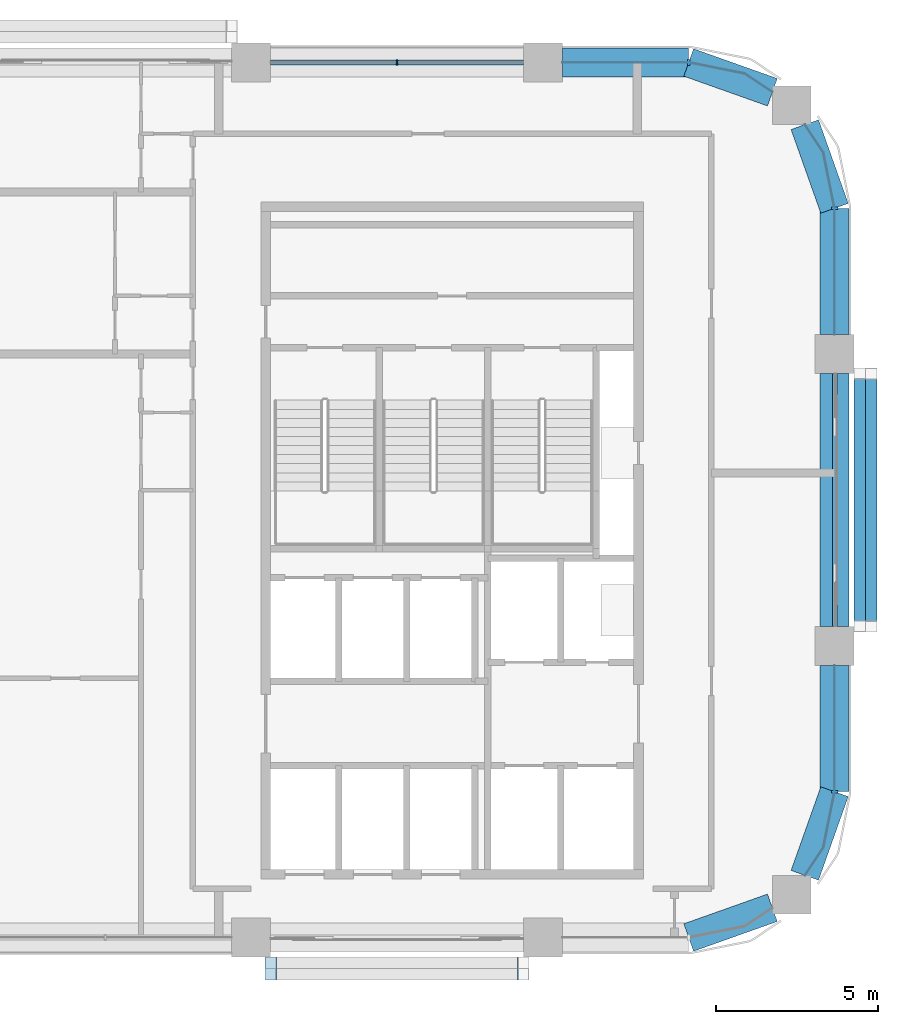
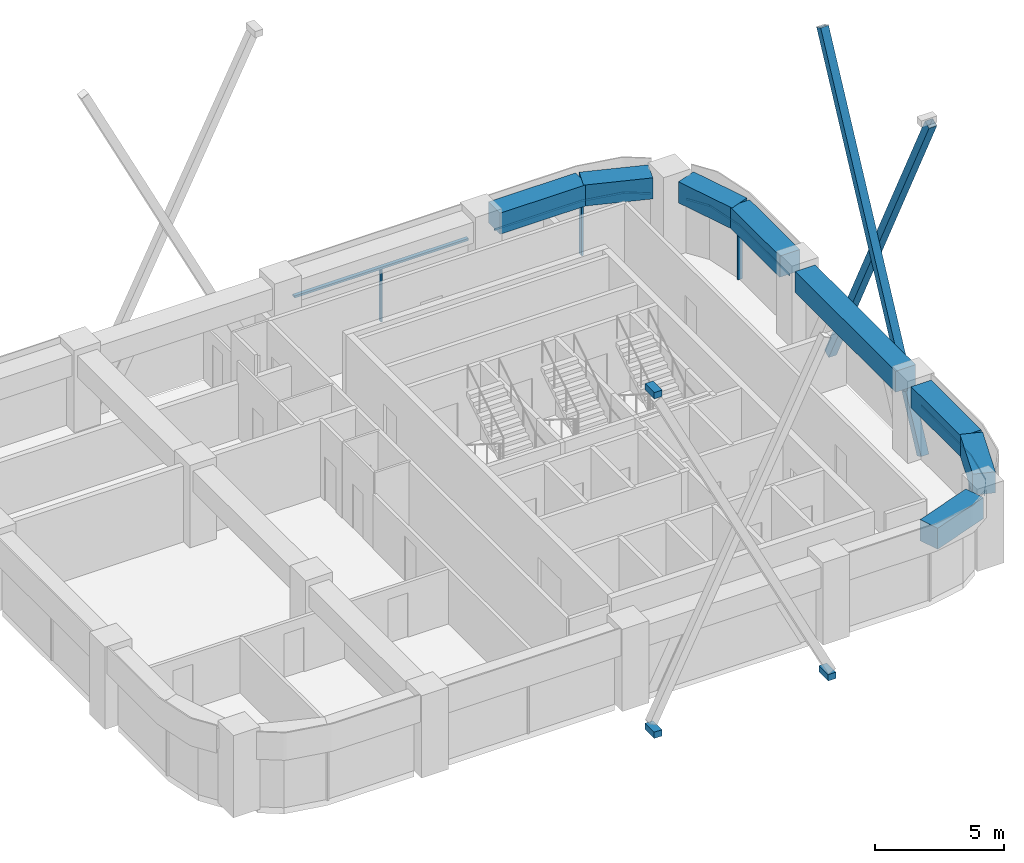
# One storey, part 4 of 10: 14 members, 8 beams, 5 elements without a shape of their own.
"""IFC4 building model written with IfcOpenShell, lengths in metres."""

from ifc_helpers import new_model, si_unit, direction, frame, origin, origin_2d, place, context, subcontext, project, spatial, polyline, rectangle, hollow_rectangle, outline, extrude, material, layer, layer_set, material_profile, profile_set, type_object, element, aggregate, save


model = new_model("IFC4")

# Units and contexts
model_context = context("Model", 3, precision=1e-05, world=origin(), true_north=direction((0.0, 1.0)))
body_context = subcontext(model_context, "Body", "Model", "MODEL_VIEW")
ifc_project = project(units=[si_unit("LENGTHUNIT", "METRE"), si_unit("AREAUNIT", "SQUARE_METRE"), si_unit("VOLUMEUNIT", "CUBIC_METRE"), si_unit("PLANEANGLEUNIT", "RADIAN"), si_unit("MASSUNIT", "GRAM", prefix="KILO")], contexts=[model_context])

# Site, building, storey
site_placement = place(None, origin())
site = spatial("IfcSite", under=ifc_project, at=site_placement, CompositionType="ELEMENT")
building_placement = place(site_placement, origin())
building = spatial("IfcBuilding", under=site, at=building_placement, Name="Tessera Arch", CompositionType="ELEMENT")
storey_placement = place(building_placement, frame((0.0, 0.0, 301.199951171875)))
storey = spatial("IfcBuildingStorey", under=building, at=storey_placement, Name="L72", CompositionType="ELEMENT", Elevation=301.199951171875)

# Members
ifc_material_1 = material(Name="Steel A500 Gr C", Category="steel")
ifc_material_profile_1 = material_profile(ifc_material_1, hollow_rectangle(XDim=0.355712890625, YDim=0.355712890625, WallThickness=0.01171875, at=origin_2d()), Name="HSS14x14x1/2")
ifc_profile_set_1 = profile_set([ifc_material_profile_1], Name="Steel A500 Gr C")
member_type_1 = type_object("IfcMemberType", Name="Brace HSS14x14x1/2 Steel A500 Gr C", PredefinedType="BRACE", material=ifc_profile_set_1)
for number, where, z_axis, x_axis, name in (
    (1, (54.77783203125, 36.60009765625, -0.800048828125), (0.0, 0.447202397208, 0.894432790058), (-1.0, 0.0, 0.0), "Brace E54.27-0 A L72-L75"),
    (2, (55.13330078125, 44.39990234375, -0.800048828125), (0.0, -0.447202397208, 0.894432790058), (1.0, 0.0, 0.0), "Brace E54.27-0 B L72-L75"),
):
    element("IfcMember", number, at=place(storey_placement, frame(where, z_axis=z_axis, x_axis=x_axis)), inside=storey, type_object=member_type_1, Name=name, PredefinedType="BRACE", context=body_context, shape_type="SweptSolid", body=[
        extrude(hollow_rectangle(XDim=0.355712890625, YDim=0.355712890625, WallThickness=0.01171875, at=origin_2d()), origin(), (0.0, 0.0, 1.0), 17.44140625),
    ])

# Curtain wall, members
ifc_material_2 = material(Name="CW1 curtain wall")
curtain_wall_type_1 = type_object("IfcCurtainWallType", Name="CW1 curtain wall", PredefinedType="NOTDEFINED", material=ifc_material_2)
curtain_wall_1_placement = place(storey_placement, origin())
curtain_wall_1 = element("IfcCurtainWall", 3, at=curtain_wall_1_placement, inside=storey, type_object=curtain_wall_type_1, Name="CW1 curtain wall N54.18/1 L72", PredefinedType="NOTDEFINED")
ifc_material_3 = material(Name="Anodised aluminium pale metal", Category="aluminium")
ifc_material_profile_2 = material_profile(ifc_material_3, rectangle(XDim=0.159912109375, YDim=0.06005859375, at=origin_2d()), Name="AL 60x160")
ifc_profile_set_2 = profile_set([ifc_material_profile_2], Name="Anodised aluminium pale metal")
member_type_2 = type_object("IfcMemberType", Name="CW1 mullion", PredefinedType="MULLION", material=ifc_profile_set_2)
member_1_placement = place(storey_placement, frame((40.5, 54.0, 0.0), z_axis=(0.0, 0.0, 1.0), x_axis=(0.0, -1.0, 0.0)))
member_1 = element("IfcMember", 4, at=member_1_placement, type_object=member_type_2, Name="CW1 mullion N54.18/1 1", PredefinedType="MULLION", context=body_context, shape_type="SweptSolid", body=[
    extrude(rectangle(XDim=0.159912109375, YDim=0.06005859375, at=origin_2d()), origin(), (0.0, 0.0, 1.0), 2.5),
])
ifc_material_4 = material(Name="Anodised aluminium pale metal", Category="aluminium")
ifc_material_profile_3 = material_profile(ifc_material_4, rectangle(XDim=0.159912109375, YDim=0.10009765625, at=origin_2d()), Name="AL 160x100")
ifc_profile_set_3 = profile_set([ifc_material_profile_3], Name="Anodised aluminium pale metal")
member_type_3 = type_object("IfcMemberType", Name="CW1 transom", PredefinedType="USERDEFINED", material=ifc_profile_set_3)
member_2_placement = place(storey_placement, frame((44.39990234375, 54.0, 2.550048828125), z_axis=(-1.0, 0.0, 0.0), x_axis=(0.0, -1.0, 0.0)))
member_2 = element("IfcMember", 5, at=member_2_placement, type_object=member_type_3, Name="CW1 transom N54.18/1 1.1", ObjectType="TRANSOM", PredefinedType="USERDEFINED", context=body_context, shape_type="SweptSolid", body=[
    extrude(rectangle(XDim=0.159912109375, YDim=0.10009765625, at=origin_2d()), origin(), (0.0, 0.0, 1.0), 7.7998046875),
])
aggregate(curtain_wall_1, [member_1, member_2])

# Curtain wall, member
ifc_material_5 = material(Name="CW2 curtain wall")
curtain_wall_type_2 = type_object("IfcCurtainWallType", Name="CW2 curtain wall", PredefinedType="NOTDEFINED", material=ifc_material_5)
curtain_wall_2_placement = place(storey_placement, origin())
curtain_wall_2 = element("IfcCurtainWall", 6, at=curtain_wall_2_placement, inside=storey, type_object=curtain_wall_type_2, Name="CW2 curtain wall E54.27/1 L72", PredefinedType="NOTDEFINED")
ifc_material_6 = material(Name="Anodised aluminium pale metal", Category="aluminium")
ifc_material_profile_4 = material_profile(ifc_material_6, rectangle(XDim=0.199951171875, YDim=0.080078125, at=origin_2d()), Name="AL 80x200")
ifc_profile_set_4 = profile_set([ifc_material_profile_4], Name="Anodised aluminium pale metal")
member_type_4 = type_object("IfcMemberType", Name="CW2 mullion", PredefinedType="MULLION", material=ifc_profile_set_4)
member_3_placement = place(storey_placement, frame((54.0, 49.5, 0.0), z_axis=(0.0, 0.0, 1.0), x_axis=(-1.0, 0.0, 0.0)))
member_3 = element("IfcMember", 7, at=member_3_placement, type_object=member_type_4, Name="CW2 mullion E54.27/1 1", PredefinedType="MULLION", context=body_context, shape_type="SweptSolid", body=[
    extrude(rectangle(XDim=0.199951171875, YDim=0.080078125, at=origin_2d()), origin(), (0.0, 0.0, 1.0), 2.5),
])

curtain_wall_3_placement = place(storey_placement, origin())
curtain_wall_3 = element("IfcCurtainWall", 8, at=curtain_wall_3_placement, inside=storey, type_object=curtain_wall_type_2, Name="CW2 curtain wall N54.18/0 L72", PredefinedType="NOTDEFINED")
member_4_placement = place(storey_placement, frame((49.5, 54.0, 0.0), z_axis=(0.0, 0.0, 1.0), x_axis=(0.0, -1.0, 0.0)))
member_4 = element("IfcMember", 9, at=member_4_placement, type_object=member_type_4, Name="CW2 mullion N54.18/0 1", PredefinedType="MULLION", context=body_context, shape_type="SweptSolid", body=[
    extrude(rectangle(XDim=0.199951171875, YDim=0.080078125, at=origin_2d()), origin(), (0.0, 0.0, 1.0), 2.5),
])

curtain_wall_4_placement = place(storey_placement, origin())
curtain_wall_4 = element("IfcCurtainWall", 10, at=curtain_wall_4_placement, inside=storey, type_object=curtain_wall_type_2, Name="CW2 curtain wall E54.27/2 L72", PredefinedType="NOTDEFINED")
member_5_placement = place(storey_placement, frame((54.0, 31.5, 0.0), z_axis=(0.0, 0.0, 1.0), x_axis=(-1.0, 0.0, 0.0)))
member_5 = element("IfcMember", 11, at=member_5_placement, type_object=member_type_4, Name="CW2 mullion E54.27/2 1", PredefinedType="MULLION", context=body_context, shape_type="SweptSolid", body=[
    extrude(rectangle(XDim=0.199951171875, YDim=0.080078125, at=origin_2d()), origin(), (0.0, 0.0, 1.0), 2.5),
])

# Member
ifc_material_7 = material(Name="Anodised aluminium pale metal", Category="aluminium")
ifc_material_profile_5 = material_profile(ifc_material_7, rectangle(XDim=0.199951171875, YDim=0.10009765625, at=origin_2d()), Name="AL 200x100")
ifc_profile_set_5 = profile_set([ifc_material_profile_5], Name="Anodised aluminium pale metal")
member_type_5 = type_object("IfcMemberType", Name="CW2 transom", PredefinedType="USERDEFINED", material=ifc_profile_set_5)
member_6_placement = place(storey_placement, frame((0.0, 0.0, 2.5)))
member_6 = element("IfcMember", 12, at=member_6_placement, type_object=member_type_5, Name="CW2 transom E54.27/1 1", ObjectType="TRANSOM", PredefinedType="USERDEFINED", context=body_context, shape_type="SweptSolid", body=[
    extrude(outline(polyline([(53.989990234375, 49.4990234375), (53.989990234375, 45.60009765625), (54.010009765625, 45.60009765625), (54.010009765625, 49.5009765625), (53.6669921875, 51.22607421875), (53.09130859375, 52.087646484375), (53.07470703125, 52.076416015625), (53.648193359375, 51.21826171875), (53.989990234375, 49.4990234375)])), origin(), (0.0, 0.0, 1.0), 0.10009765625),
])

aggregate(curtain_wall_2, [member_3, member_6])

member_7_placement = place(storey_placement, frame((0.0, 0.0, 2.5)))
member_7 = element("IfcMember", 13, at=member_7_placement, type_object=member_type_5, Name="CW2 transom N54.18/0 1", ObjectType="TRANSOM", PredefinedType="USERDEFINED", context=body_context, shape_type="SweptSolid", body=[
    extrude(outline(polyline([(51.21826171875, 53.648193359375), (52.076416015625, 53.07470703125), (52.087646484375, 53.09130859375), (51.22607421875, 53.6669921875), (49.5009765625, 54.010009765625), (45.60009765625, 54.010009765625), (45.60009765625, 53.989990234375), (49.4990234375, 53.989990234375), (51.21826171875, 53.648193359375)])), origin(), (0.0, 0.0, 1.0), 0.10009765625),
])

aggregate(curtain_wall_3, [member_4, member_7])

member_8_placement = place(storey_placement, frame((0.0, 0.0, 2.5)))
member_8 = element("IfcMember", 14, at=member_8_placement, type_object=member_type_5, Name="CW2 transom E54.27/2 1", ObjectType="TRANSOM", PredefinedType="USERDEFINED", context=body_context, shape_type="SweptSolid", body=[
    extrude(outline(polyline([(53.648193359375, 29.78173828125), (53.07470703125, 28.923583984375), (53.09130859375, 28.912353515625), (53.6669921875, 29.77392578125), (54.010009765625, 31.4990234375), (54.010009765625, 35.39990234375), (53.989990234375, 35.39990234375), (53.989990234375, 31.5009765625), (53.648193359375, 29.78173828125)])), origin(), (0.0, 0.0, 1.0), 0.10009765625),
])

aggregate(curtain_wall_4, [member_5, member_8])

# Curtain wall, member
ifc_material_8 = material(Name="CW3 curtain wall")
curtain_wall_type_3 = type_object("IfcCurtainWallType", Name="CW3 curtain wall", PredefinedType="NOTDEFINED", material=ifc_material_8)
curtain_wall_5_placement = place(storey_placement, origin())
curtain_wall_5 = element("IfcCurtainWall", 15, at=curtain_wall_5_placement, inside=storey, type_object=curtain_wall_type_3, Name="CW3 curtain wall E54.27/0 L72", PredefinedType="NOTDEFINED")
ifc_material_9 = material(Name="Anodised aluminium pale metal", Category="aluminium")
ifc_material_profile_6 = material_profile(ifc_material_9, rectangle(XDim=0.139892578125, YDim=0.10009765625, at=origin_2d()), Name="AL 140x100")
ifc_profile_set_6 = profile_set([ifc_material_profile_6], Name="Anodised aluminium pale metal")
member_type_6 = type_object("IfcMemberType", Name="CW3 transom", PredefinedType="USERDEFINED", material=ifc_profile_set_6)
member_9_placement = place(storey_placement, frame((54.0, 36.60009765625, 2.550048828125), z_axis=(0.0, 1.0, 0.0), x_axis=(-1.0, 0.0, 0.0)))
member_9 = element("IfcMember", 16, at=member_9_placement, type_object=member_type_6, Name="CW3 transom E54.27/0 1.1", ObjectType="TRANSOM", PredefinedType="USERDEFINED", context=body_context, shape_type="SweptSolid", body=[
    extrude(rectangle(XDim=0.139892578125, YDim=0.10009765625, at=origin_2d()), origin(), (0.0, 0.0, 1.0), 7.7998046875),
])
aggregate(curtain_wall_5, [member_9])

# Members
ifc_material_10 = material(Name="Steel A572 Gr50", Category="steel")
ifc_layer = layer(ifc_material_10, 0.050048828125)
ifc_layer_set = layer_set([ifc_layer], Name="Node block Steel A572 Gr50")
member_type_7 = type_object("IfcMemberType", Name="Node block Steel A572 Gr50", PredefinedType="PLATE", material=ifc_layer_set)
for number, where, z_axis, x_axis, name in (
    (17, (44.39990234375, 26.04443359375, -1.20166015625), (0.0, 0.0, 1.0), (1.0, 0.0, 0.0), "Node block seat S27.18-2 1 L72"),
    (18, (36.60009765625, 26.04443359375, -1.20166015625), (0.0, 0.0, 1.0), (1.0, 0.0, 0.0), "Node block seat S27.18-2 2 L72"),
    (19, (36.60009765625, 26.04443359375, 14.90185546875), (0.0, 0.0, 1.0), (1.0, 0.0, 0.0), "Node block head S27.18-2 B L72"),
):
    element("IfcMember", number, at=place(storey_placement, frame(where, z_axis=z_axis, x_axis=x_axis)), inside=storey, type_object=member_type_7, Name=name, PredefinedType="PLATE", context=body_context, shape_type="SweptSolid", body=[
        extrude(rectangle(XDim=0.355712890625, YDim=0.711181640625, at=origin_2d()), origin(), (0.0, 0.0, 1.0), 0.300048828125),
    ])

# Beams
ifc_material_11 = material(Name="Concrete C60/75", Category="concrete")
ifc_material_profile_7 = material_profile(ifc_material_11, rectangle(XDim=0.89990234375, YDim=1.0, at=origin_2d()), Name="RC spandrel beam 900 x 1000 Concrete C60/75")
ifc_profile_set_7 = profile_set([ifc_material_profile_7], Name="Concrete C60/75")
beam_type = type_object("IfcBeamType", Name="RC spandrel beam 900 x 1000 Concrete C60/75", PredefinedType="BEAM", material=ifc_profile_set_7)
beam_1_placement = place(storey_placement, frame((54.0, 36.60009765625, 3.10009765625), z_axis=(0.0, 1.0, 0.0), x_axis=(-1.0, 0.0, 0.0)))
element("IfcBeam", 20, at=beam_1_placement, inside=storey, type_object=beam_type, Name="Spandrel beam L72 E54.27/0", PredefinedType="BEAM", context=body_context, shape_type="SweptSolid", body=[
    extrude(rectangle(XDim=0.89990234375, YDim=1.0, at=origin_2d()), origin(), (0.0, 0.0, 1.0), 7.7998046875),
])
beam_2_placement = place(storey_placement, frame((54.0, 45.60009765625, 3.10009765625), z_axis=(0.0, 1.0, 0.0), x_axis=(-1.0, 0.0, 0.0)))
element("IfcBeam", 21, at=beam_2_placement, inside=storey, type_object=beam_type, Name="Spandrel beam L72 E54.27/1.1", PredefinedType="BEAM", context=body_context, shape_type="SweptSolid", body=[
    extrude(rectangle(XDim=0.89990234375, YDim=1.0, at=origin_2d()), origin(), (0.0, 0.0, 1.0), 3.89990234375),
])
for number, where, z_axis, x_axis, name in (
    (22, (54.0, 49.5, 3.10009765625), (-0.334665114373, 0.942337127159, 0.0), (-0.942337127159, -0.334665114373, 0.0), "Spandrel beam L72 E54.27/1.2"),
    (23, (52.08203125, 53.0830078125, 3.10009765625), (-0.942337127159, 0.334665114373, 0.0), (-0.334665114373, -0.942337127159, 0.0), "Spandrel beam L72 N54.18/0.1"),
):
    element("IfcBeam", number, at=place(storey_placement, frame(where, z_axis=z_axis, x_axis=x_axis)), inside=storey, type_object=beam_type, Name=name, PredefinedType="BEAM", context=body_context, shape_type="SweptSolid", body=[
        extrude(rectangle(XDim=0.89990234375, YDim=1.0, at=origin_2d()), origin(), (0.0, 0.0, 1.0), 2.739990234375),
    ])
beam_3_placement = place(storey_placement, frame((49.5, 54.0, 3.10009765625), z_axis=(-1.0, 0.0, 0.0), x_axis=(0.0, -1.0, 0.0)))
element("IfcBeam", 24, at=beam_3_placement, inside=storey, type_object=beam_type, Name="Spandrel beam L72 N54.18/0.2", PredefinedType="BEAM", context=body_context, shape_type="SweptSolid", body=[
    extrude(rectangle(XDim=0.89990234375, YDim=1.0, at=origin_2d()), origin(), (0.0, 0.0, 1.0), 3.89990234375),
])
for number, where, z_axis, x_axis, name in (
    (25, (49.5, 27.0, 3.10009765625), (0.942337127159, 0.334665114373, 0.0), (-0.334665114373, 0.942337127159, 0.0), "Spandrel beam L72 S27.18/3.2"),
    (26, (53.0830078125, 28.91796875, 3.10009765625), (0.334665114373, 0.942337127159, 0.0), (-0.942337127159, 0.334665114373, 0.0), "Spandrel beam L72 E54.27/2.1"),
):
    element("IfcBeam", number, at=place(storey_placement, frame(where, z_axis=z_axis, x_axis=x_axis)), inside=storey, type_object=beam_type, Name=name, PredefinedType="BEAM", context=body_context, shape_type="SweptSolid", body=[
        extrude(rectangle(XDim=0.89990234375, YDim=1.0, at=origin_2d()), origin(), (0.0, 0.0, 1.0), 2.739990234375),
    ])
beam_4_placement = place(storey_placement, frame((54.0, 31.5, 3.10009765625), z_axis=(0.0, 1.0, 0.0), x_axis=(-1.0, 0.0, 0.0)))
element("IfcBeam", 27, at=beam_4_placement, inside=storey, type_object=beam_type, Name="Spandrel beam L72 E54.27/2.2", PredefinedType="BEAM", context=body_context, shape_type="SweptSolid", body=[
    extrude(rectangle(XDim=0.89990234375, YDim=1.0, at=origin_2d()), origin(), (0.0, 0.0, 1.0), 3.89990234375),
])

save(model, "model.ifc")
